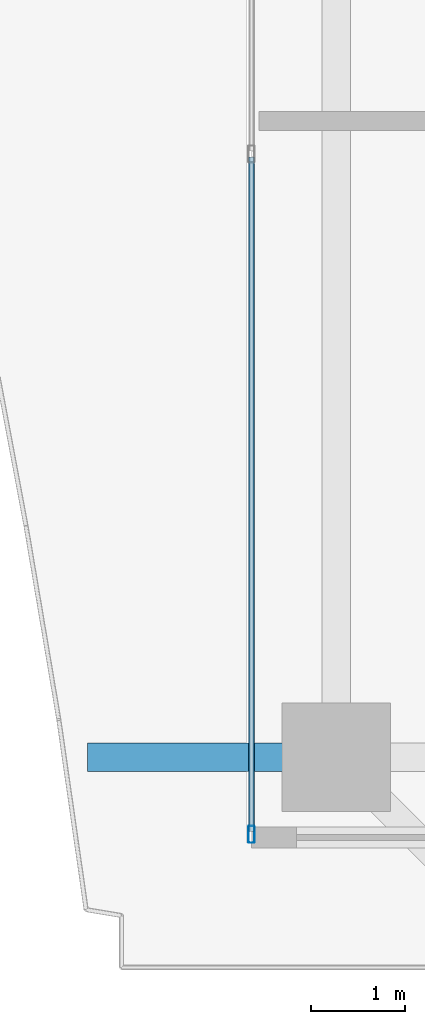
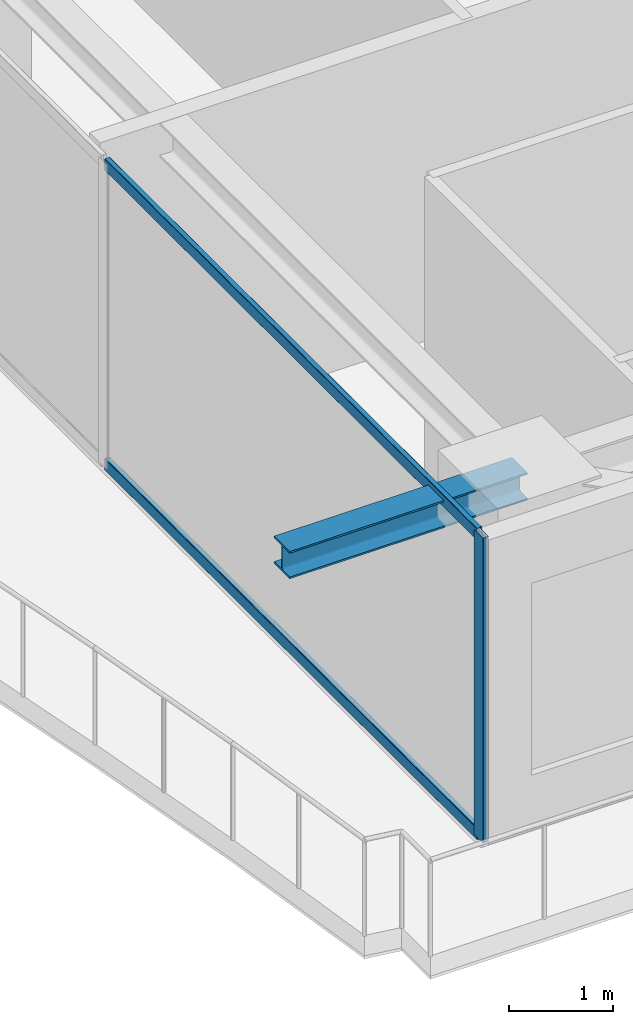
# One storey, part 3 of 35: 3 members, 1 beam, 1 element without a shape of its own.
"""IFC4 building model written with IfcOpenShell, lengths in metres."""

from ifc_helpers import new_model, si_unit, direction, frame, origin, origin_2d, place, context, subcontext, project, spatial, hollow_rectangle, i_section, extrude, source, transform, mapped, material, layer, layer_set, material_profile, profile_set, type_object, element, aggregate, save


model = new_model("IFC4")

# Units and contexts
model_context = context("Model", 3, precision=1e-05, world=origin(), true_north=direction((0.0, 1.0)))
body_context = subcontext(model_context, "Body", "Model", "MODEL_VIEW")
ifc_project = project(units=[si_unit("LENGTHUNIT", "METRE"), si_unit("AREAUNIT", "SQUARE_METRE"), si_unit("VOLUMEUNIT", "CUBIC_METRE"), si_unit("PLANEANGLEUNIT", "RADIAN"), si_unit("MASSUNIT", "GRAM", prefix="KILO")], contexts=[model_context])

# Site, building, storey
site_placement = place(None, origin())
site = spatial("IfcSite", under=ifc_project, at=site_placement, CompositionType="ELEMENT")
building_placement = place(site_placement, origin())
building = spatial("IfcBuilding", under=site, at=building_placement, Name="Serunith Strait Residences", CompositionType="ELEMENT")
storey_placement = place(building_placement, frame((0.0, 0.0, 214.300048828125)))
storey = spatial("IfcBuildingStorey", under=building, at=storey_placement, Name="L53", CompositionType="ELEMENT", Elevation=214.300048828125)

# Beam
ifc_material_1 = material(Name="Steel S355J2", Category="steel")
ifc_material_profile_1 = material_profile(ifc_material_1, i_section(OverallWidth=0.300048828125, OverallDepth=0.320068359375, WebThickness=0.011474609375, FlangeThickness=0.0205078125, FilletRadius=0.027099609375, at=origin_2d()), Name="HEB 320")
ifc_profile_set_1 = profile_set([ifc_material_profile_1], Name="Steel S355J2")
beam_type = type_object("IfcBeamType", Name="BM-HEB320", PredefinedType="BEAM", material=ifc_profile_set_1)
shared_shape_1 = source(origin(), body_context, "Body", "SweptSolid", [
    extrude(i_section(OverallWidth=0.300048828125, OverallDepth=0.320068359375, WebThickness=0.011474609375, FlangeThickness=0.0205078125, FilletRadius=0.027099609375, at=origin_2d()), origin(), (0.0, 0.0, 1.0), 2.638671875),
])
beam_placement = place(storey_placement, frame((8.300048828125, 10.050048828125, 3.39697265625), z_axis=(-1.0, 0.0, 0.0), x_axis=(0.0, -1.0, 0.0)))
element("IfcBeam", 1, at=beam_placement, inside=storey, type_object=beam_type, Name="L54 Cantilevered Balcony Rib TC-W1", PredefinedType="BEAM", context=body_context, shape_type="MappedRepresentation", body=[
    mapped(shared_shape_1, transform((0.0, 0.0, 0.0), scale=1.0)),
])

# Curtain wall, members
ifc_material_2 = material(Name="Pale-Champagne Anodised Aluminium", Category="aluminium")
ifc_layer = layer(ifc_material_2, 0.199951171875, Name="Pale-Champagne Anodised Aluminium")
ifc_layer_set = layer_set([ifc_layer], Name="Pale-Champagne Anodised Aluminium")
curtain_wall_type = type_object("IfcCurtainWallType", Name="CW-SYS4", PredefinedType="NOTDEFINED", material=ifc_layer_set)
curtain_wall_placement = place(storey_placement, origin())
curtain_wall = element("IfcCurtainWall", 2, at=curtain_wall_placement, inside=storey, type_object=curtain_wall_type, Name="L53 W Unitised Fritted Curtain Wall", PredefinedType="NOTDEFINED")
ifc_material_profile_2 = material_profile(ifc_material_2, hollow_rectangle(XDim=0.06494140625, YDim=0.179931640625, WallThickness=0.00341796875, InnerFilletRadius=0.00537109375, OuterFilletRadius=0.0087890625, at=origin_2d()), Name="ALU 180x65x3.5")
ifc_profile_set_2 = profile_set([ifc_material_profile_2], Name="Pale-Champagne Anodised Aluminium")
member_type_1 = type_object("IfcMemberType", Name="CW-SYS4-MULL", PredefinedType="MULLION", material=ifc_profile_set_2)
shared_shape_2 = source(origin(), body_context, "Body", "SweptSolid", [
    extrude(hollow_rectangle(XDim=0.06494140625, YDim=0.179931640625, WallThickness=0.00341796875, InnerFilletRadius=0.00537109375, OuterFilletRadius=0.0087890625, at=origin_2d()), origin(), (0.0, 0.0, 1.0), 3.574951171875),
])
member_1_placement = place(storey_placement, frame((7.39990234375, 9.232421875, 0.0), z_axis=(0.0, 0.0, 1.0), x_axis=(1.0, 0.0, 0.0)))
member_1 = element("IfcMember", 3, at=member_1_placement, type_object=member_type_1, Name="CW-4 mullion 3", PredefinedType="MULLION", context=body_context, shape_type="MappedRepresentation", body=[
    mapped(shared_shape_2, transform((0.0, 0.0, 0.0), scale=1.0)),
])
ifc_material_profile_3 = material_profile(ifc_material_2, hollow_rectangle(XDim=0.06005859375, YDim=0.139892578125, WallThickness=0.00341796875, InnerFilletRadius=0.00537109375, OuterFilletRadius=0.0087890625, at=origin_2d()), Name="ALU 140x60x3.5")
ifc_profile_set_3 = profile_set([ifc_material_profile_3], Name="Pale-Champagne Anodised Aluminium")
member_type_2 = type_object("IfcMemberType", Name="CW-SYS4-TRAN", PredefinedType="USERDEFINED", material=ifc_profile_set_3)
shared_shape_3 = source(origin(), body_context, "Body", "SweptSolid", [
    extrude(hollow_rectangle(XDim=0.06005859375, YDim=0.139892578125, WallThickness=0.00341796875, InnerFilletRadius=0.00537109375, OuterFilletRadius=0.0087890625, at=origin_2d()), origin(), (0.0, 0.0, 1.0), 7.152587890625),
])
member_2_placement = place(storey_placement, frame((7.39990234375, 16.41748046875, 0.030029296875), z_axis=(0.0, -1.0, 0.0), x_axis=(1.0, 0.0, 0.0)))
member_2 = element("IfcMember", 4, at=member_2_placement, type_object=member_type_2, Name="CW-4 transom 2.1", ObjectType="TRANSOM", PredefinedType="USERDEFINED", context=body_context, shape_type="MappedRepresentation", body=[
    mapped(shared_shape_3, transform((0.0, 0.0, 0.0), scale=1.0)),
])
member_3_placement = place(storey_placement, frame((7.39990234375, 16.41748046875, 3.544921875), z_axis=(0.0, -1.0, 0.0), x_axis=(1.0, 0.0, 0.0)))
member_3 = element("IfcMember", 5, at=member_3_placement, type_object=member_type_2, Name="CW-4 transom 2.2", ObjectType="TRANSOM", PredefinedType="USERDEFINED", context=body_context, shape_type="MappedRepresentation", body=[
    mapped(shared_shape_3, transform((0.0, 0.0, 0.0), scale=1.0)),
])
aggregate(curtain_wall, [member_1, member_2, member_3])

save(model, "model.ifc")
